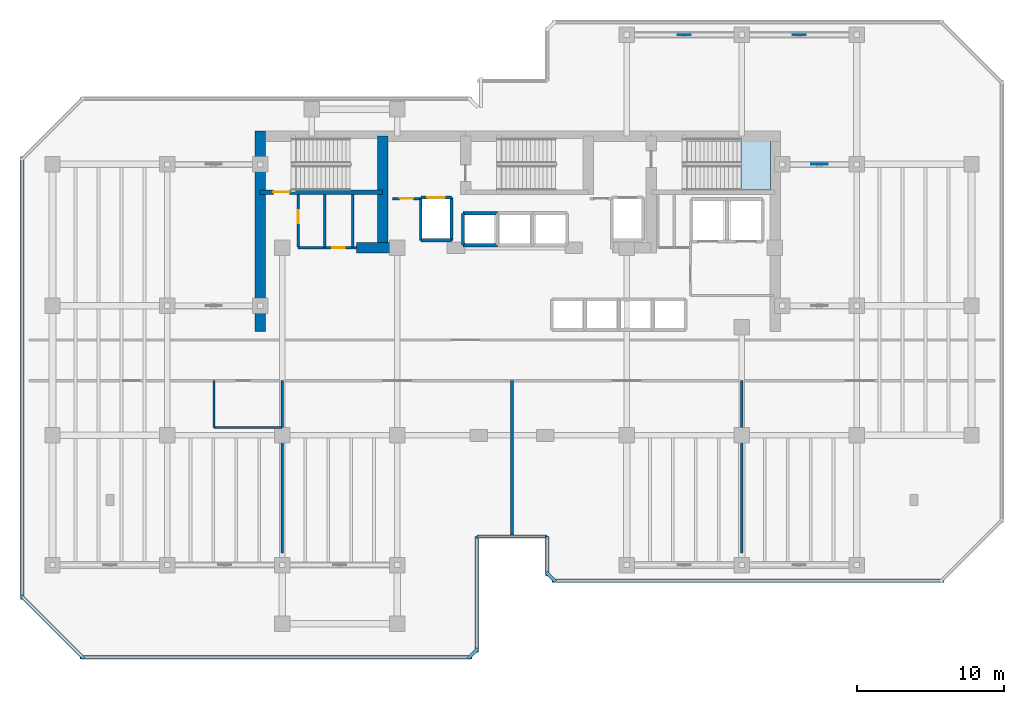
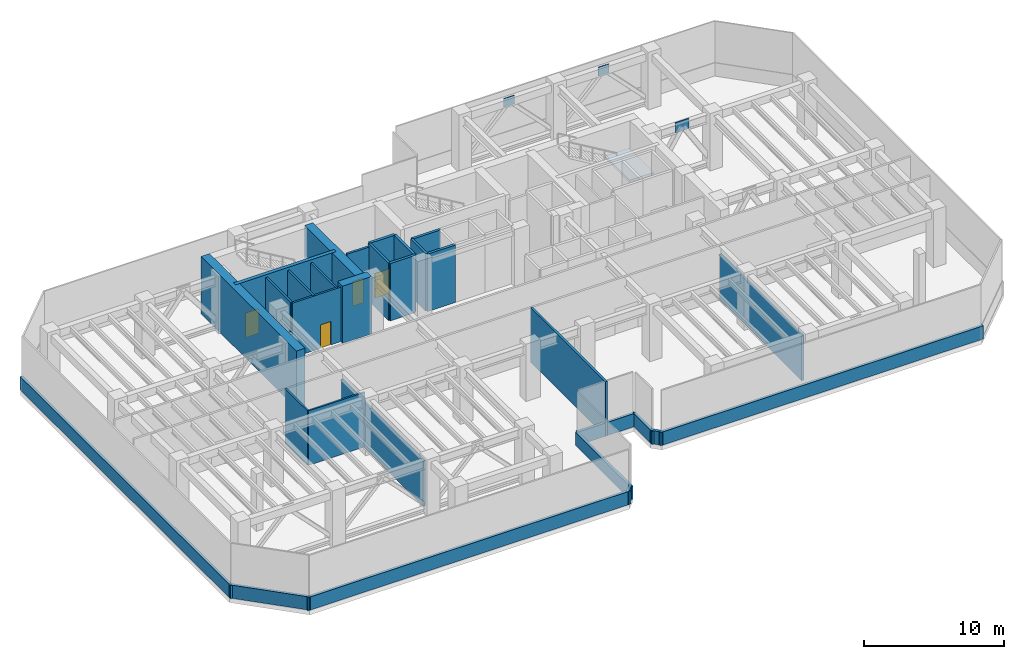
# One storey, part 4 of 10: 30 walls, 5 doors, 3 plates, 1 slab, 5 openings, 1 element without a shape of its own.
"""IFC4 building model written with IfcOpenShell, lengths in metres."""

from ifc_helpers import new_model, si_unit, direction, frame, frame_2d, origin, origin_2d, place, context, subcontext, project, spatial, polyline, rectangle, outline, extrude, material, layer, layer_set, type_object, element, fill, aggregate, save


model = new_model("IFC4")

# Units and contexts
model_context = context("Model", 3, precision=1e-05, world=origin(), true_north=direction((0.0, 1.0)))
body_context = subcontext(model_context, "Body", "Model", "MODEL_VIEW")
ifc_project = project(units=[si_unit("LENGTHUNIT", "METRE"), si_unit("AREAUNIT", "SQUARE_METRE"), si_unit("VOLUMEUNIT", "CUBIC_METRE"), si_unit("PLANEANGLEUNIT", "RADIAN"), si_unit("MASSUNIT", "GRAM", prefix="KILO")], contexts=[model_context])

# Site, building, storey
site_placement = place(None, origin())
site = spatial("IfcSite", under=ifc_project, at=site_placement, CompositionType="ELEMENT")
building_placement = place(site_placement, origin())
building = spatial("IfcBuilding", under=site, at=building_placement, Name="Kestravale Grand Hotel", CompositionType="ELEMENT")
storey_placement = place(building_placement, frame((0.0, 0.0, 184.0)))
storey = spatial("IfcBuildingStorey", under=building, at=storey_placement, Name="L46", CompositionType="ELEMENT", Elevation=184.0)

# Plates
ifc_material_1 = material(Name="Steel ASTM A572 Grade 50", Category="steel")
ifc_layer_1 = layer(ifc_material_1, 0.044921875)
ifc_layer_set_1 = layer_set([ifc_layer_1], Name="PL-GUS-45")
plate_type_1 = type_object("IfcPlateType", Name="PL-GUS-45", PredefinedType="USERDEFINED", material=ifc_layer_set_1)
for number, where, z_axis, x_axis, name in (
    (1, (50.699951171875, 47.199951171875, 3.985107421875), (0.0, 0.0, 1.0), (1.0, 0.0, 0.0), "L46 belt truss gusset G:8-9"),
    (2, (58.5, 47.199951171875, 3.985107421875), (0.0, 0.0, 1.0), (1.0, 0.0, 0.0), "L46 belt truss gusset G:9-10"),
):
    element("IfcPlate", number, at=place(storey_placement, frame(where, z_axis=z_axis, x_axis=x_axis)), inside=storey, type_object=plate_type_1, Name=name, ObjectType="GUSSET PLATE", PredefinedType="USERDEFINED", context=body_context, shape_type="SweptSolid", body=[
        extrude(rectangle(XDim=0.89990234375, YDim=0.044921875, at=origin_2d()), origin(), (0.0, 0.0, 1.0), 0.75),
    ])
ifc_material_2 = material(Name="Steel ASTM A572 Grade 50", Category="steel")
ifc_layer_2 = layer(ifc_material_2, 0.06005859375)
ifc_layer_set_2 = layer_set([ifc_layer_2], Name="PL-GUS-60")
plate_type_2 = type_object("IfcPlateType", Name="PL-GUS-60", PredefinedType="USERDEFINED", material=ifc_layer_set_2)
plate_placement = place(storey_placement, frame((59.875, 38.39990234375, 3.91015625), z_axis=(0.0, 0.0, 1.0), x_axis=(1.0, 0.0, 0.0)))
element("IfcPlate", 3, at=plate_placement, inside=storey, type_object=plate_type_2, Name="L46 outrigger gusset plate E-F", ObjectType="GUSSET PLATE", PredefinedType="USERDEFINED", context=body_context, shape_type="SweptSolid", body=[
    extrude(rectangle(XDim=1.10009765625, YDim=0.06005859375, at=origin_2d()), origin(), (0.0, 0.0, 1.0), 0.89990234375),
])

# Stair, slab
ifc_material_3 = material(Name="Concrete f'c 45 MPa", Category="concrete")
stair_type = type_object("IfcStairType", Name="ST-CORE-500", PredefinedType="HALF_TURN_STAIR", material=ifc_material_3)
stair_placement = place(storey_placement, origin())
stair = element("IfcStair", 4, at=stair_placement, inside=storey, type_object=stair_type, Name="L46 ST-3", PredefinedType="HALF_TURN_STAIR")
ifc_material_4 = material(Name="Concrete f'c 45 MPa", Category="concrete")
ifc_layer_3 = layer(ifc_material_4, 0.199951171875)
ifc_layer_set_3 = layer_set([ifc_layer_3], Name="SLB-ST-LND200")
slab_type = type_object("IfcSlabType", Name="SLB-ST-LND200", PredefinedType="LANDING", material=ifc_layer_set_3)
slab_placement = place(storey_placement, frame((0.0, 0.0, 2.300048828125)))
slab = element("IfcSlab", 5, at=slab_placement, type_object=slab_type, Name="ST-3 landing 1", PredefinedType="LANDING", context=body_context, shape_type="SweptSolid", body=[
    extrude(outline(polyline([(54.550048828125, 36.64990234375), (56.550048828125, 36.64990234375), (56.550048828125, 40.159912109375), (54.550048828125, 40.159912109375), (54.550048828125, 36.64990234375)])), origin(), (0.0, 0.0, 1.0), 0.199951171875),
])
aggregate(stair, [slab])

# Walls
ifc_material_5 = material(Name="Concrete f'c 60 MPa", Category="concrete")
ifc_layer_4 = layer(ifc_material_5, 0.699951171875)
ifc_layer_set_4 = layer_set([ifc_layer_4], Name="EW-CORE-700")
wall_type_1 = type_object("IfcWallType", Name="EW-CORE-700", PredefinedType="SHEAR", material=ifc_layer_set_4)
wall_1_placement = place(storey_placement, frame((21.89990234375, 27.050048828125, 0.0), z_axis=(0.0, 0.0, 1.0), x_axis=(0.0, 1.0, 0.0)))
element("IfcWall", 6, at=wall_1_placement, inside=storey, type_object=wall_type_1, Name="L46 core shear wall W1", PredefinedType="SHEAR", context=body_context, shape_type="SweptSolid", body=[
    extrude(rectangle(XDim=13.619873046875, YDim=0.699951171875, at=frame_2d((6.81005859375, 0.0))), origin(), (0.0, 0.0, 1.0), 5.0),
])
wall_2_placement = place(storey_placement, frame((28.449951171875, 32.75, 0.0), z_axis=(0.0, 0.0, 1.0), x_axis=(1.0, 0.0, 0.0)))
element("IfcWall", 7, at=wall_2_placement, inside=storey, type_object=wall_type_1, Name="L46 core shear wall S1", PredefinedType="SHEAR", context=body_context, shape_type="SweptSolid", body=[
    extrude(rectangle(XDim=2.400146484375, YDim=0.699951171875, at=frame_2d((1.2001953125, 0.0))), origin(), (0.0, 0.0, 1.0), 5.0),
])
wall_3_placement = place(storey_placement, frame((30.219970703125, 33.10009765625, 0.0), z_axis=(0.0, 0.0, 1.0), x_axis=(0.0, 1.0, 0.0)))
element("IfcWall", 8, at=wall_3_placement, inside=storey, type_object=wall_type_1, Name="L46 core shear wall X1", PredefinedType="SHEAR", context=body_context, shape_type="SweptSolid", body=[
    extrude(rectangle(XDim=7.219970703125, YDim=0.699951171875, at=frame_2d((3.60986328125, 0.0))), origin(), (0.0, 0.0, 1.0), 5.0),
])
ifc_material_6 = material(Name="Precast concrete f'c 45 MPa", Category="concrete")
ifc_layer_5 = layer(ifc_material_6, 0.219970703125)
ifc_layer_set_5 = layer_set([ifc_layer_5], Name="EW-PAR-220")
wall_type_2 = type_object("IfcWallType", Name="EW-PAR-220", PredefinedType="PARAPET", material=ifc_layer_set_5)
wall_4_placement = place(storey_placement, frame((9.659912109375, 4.93994140625, 0.0), z_axis=(0.0, 0.0, 1.0), x_axis=(1.0, 0.0, 0.0)))
element("IfcWall", 9, at=wall_4_placement, inside=storey, type_object=wall_type_2, Name="L46 refuge band parapet wall 1", PredefinedType="PARAPET", context=body_context, shape_type="SweptSolid", body=[
    extrude(rectangle(XDim=26.630126953125, YDim=0.219970703125, at=frame_2d((13.31494140625, 0.0))), origin(), (0.0, 0.0, 1.0), 1.14990234375),
])
wall_5_placement = place(storey_placement, frame((36.022705078125, 4.87060546875, 0.0), z_axis=(0.0, 0.0, 1.0), x_axis=(0.706975312048, 0.707238225886, 0.0)))
element("IfcWall", 10, at=wall_5_placement, inside=storey, type_object=wall_type_2, Name="L46 refuge band parapet wall 2", PredefinedType="PARAPET", context=body_context, shape_type="SweptSolid", body=[
    extrude(rectangle(XDim=0.9287109375, YDim=0.219970703125, at=frame_2d((0.46435546875, 0.0))), origin(), (0.0, 0.0, 1.0), 1.14990234375),
])
wall_6_placement = place(storey_placement, frame((36.610107421875, 5.260009765625, 0.0), z_axis=(0.0, 0.0, 1.0), x_axis=(0.0, 1.0, 0.0)))
element("IfcWall", 11, at=wall_6_placement, inside=storey, type_object=wall_type_2, Name="L46 refuge band parapet wall 3", PredefinedType="PARAPET", context=body_context, shape_type="SweptSolid", body=[
    extrude(rectangle(XDim=7.8798828125, YDim=0.219970703125, at=frame_2d((3.93994140625, 0.0))), origin(), (0.0, 0.0, 1.0), 1.14990234375),
])
wall_7_placement = place(storey_placement, frame((36.610107421875, 13.139892578125, 0.0), z_axis=(0.0, 0.0, 1.0), x_axis=(1.0, 0.0, 0.0)))
element("IfcWall", 12, at=wall_7_placement, inside=storey, type_object=wall_type_2, Name="L46 refuge band parapet wall 4", PredefinedType="PARAPET", context=body_context, shape_type="SweptSolid", body=[
    extrude(rectangle(XDim=4.77978515625, YDim=0.219970703125, at=frame_2d((2.389892578125, 0.0))), origin(), (0.0, 0.0, 1.0), 1.14990234375),
])
wall_8_placement = place(storey_placement, frame((41.389892578125, 13.139892578125, 0.0), z_axis=(0.0, 0.0, 1.0), x_axis=(0.0, -1.0, 0.0)))
element("IfcWall", 13, at=wall_8_placement, inside=storey, type_object=wall_type_2, Name="L46 refuge band parapet wall 5", PredefinedType="PARAPET", context=body_context, shape_type="SweptSolid", body=[
    extrude(rectangle(XDim=2.679931640625, YDim=0.219970703125, at=frame_2d((1.33984375, 0.0))), origin(), (0.0, 0.0, 1.0), 1.14990234375),
])
wall_9_placement = place(storey_placement, frame((41.32080078125, 10.727294921875, 0.0), z_axis=(0.0, 0.0, 1.0), x_axis=(0.707106781187, -0.707106781187, 0.0)))
element("IfcWall", 14, at=wall_9_placement, inside=storey, type_object=wall_type_2, Name="L46 refuge band parapet wall 6", PredefinedType="PARAPET", context=body_context, shape_type="SweptSolid", body=[
    extrude(rectangle(XDim=0.928466796875, YDim=0.219970703125, at=frame_2d((0.46435546875, 0.0))), origin(), (0.0, 0.0, 1.0), 1.14990234375),
])
wall_10_placement = place(storey_placement, frame((41.7099609375, 10.139892578125, 0.0), z_axis=(0.0, 0.0, 1.0), x_axis=(1.0, 0.0, 0.0)))
element("IfcWall", 15, at=wall_10_placement, inside=storey, type_object=wall_type_2, Name="L46 refuge band parapet wall 7", PredefinedType="PARAPET", context=body_context, shape_type="SweptSolid", body=[
    extrude(rectangle(XDim=26.630126953125, YDim=0.219970703125, at=frame_2d((13.31494140625, 0.0))), origin(), (0.0, 0.0, 1.0), 1.14990234375),
])
wall_11_placement = place(storey_placement, frame((5.739990234375, 38.93994140625, 0.0), z_axis=(0.0, 0.0, 1.0), x_axis=(0.0, -1.0, 0.0)))
element("IfcWall", 16, at=wall_11_placement, inside=storey, type_object=wall_type_2, Name="L46 refuge band parapet wall 19", PredefinedType="PARAPET", context=body_context, shape_type="SweptSolid", body=[
    extrude(rectangle(XDim=30.079833984375, YDim=0.219970703125, at=frame_2d((15.0400390625, 0.0))), origin(), (0.0, 0.0, 1.0), 1.14990234375),
])
wall_12_placement = place(storey_placement, frame((5.670654296875, 9.127197265625, 0.0), z_axis=(0.0, 0.0, 1.0), x_axis=(0.707106781187, -0.707106781187, 0.0)))
element("IfcWall", 17, at=wall_12_placement, inside=storey, type_object=wall_type_2, Name="L46 refuge band parapet wall 20", PredefinedType="PARAPET", context=body_context, shape_type="SweptSolid", body=[
    extrude(rectangle(XDim=6.019775390625, YDim=0.219970703125, at=frame_2d((3.009765625, 0.0))), origin(), (0.0, 0.0, 1.0), 1.14990234375),
])

# Wall, opening, door
ifc_material_7 = material(Name="Concrete f'c 45 MPa", Category="concrete")
ifc_layer_6 = layer(ifc_material_7, 0.300048828125)
ifc_layer_set_6 = layer_set([ifc_layer_6], Name="EW-STAIR-300")
wall_type_3 = type_object("IfcWallType", Name="EW-STAIR-300", PredefinedType="SHEAR", material=ifc_layer_set_6)
wall_13_placement = place(storey_placement, frame((21.89990234375, 36.52001953125, 0.0), z_axis=(0.0, 0.0, 1.0), x_axis=(1.0, 0.0, 0.0)))
wall_13 = element("IfcWall", 18, at=wall_13_placement, inside=storey, type_object=wall_type_3, Name="L46 stair enclosure shear wall SST1", PredefinedType="SHEAR", context=body_context, shape_type="SweptSolid", body=[
    extrude(rectangle(XDim=8.320068359375, YDim=0.300048828125, at=frame_2d((4.16015625, 0.0))), origin(), (0.0, 0.0, 1.0), 5.0),
])
opening_1_placement = place(wall_13_placement, frame((0.89990234375, 0.0, 0.0)))
opening_1 = element("IfcOpeningElement", 19, at=opening_1_placement, cuts=wall_13, Name="Opening D-ST-1100", PredefinedType="OPENING", context=body_context, shape_type="SweptSolid", body=[
    extrude(rectangle(XDim=1.10009765625, YDim=2.14990234375, at=frame_2d((0.550048828125, 1.074951171875))), frame((0.0, 0.159912109375, 0.0), z_axis=(0.0, -1.0, 0.0), x_axis=(1.0, 0.0, 0.0)), (0.0, 0.0, 1.0), 0.320068359375),
])
ifc_material_8 = material(Name="Galvanised 90-minute fire-rated steel stair door", Category="steel")
door_type_1 = type_object("IfcDoorType", Name="D-ST-1100", OperationType="NOTDEFINED", PredefinedType="DOOR", material=ifc_material_8)
door_1_placement = place(opening_1_placement, origin())
door_1 = element("IfcDoor", 20, at=door_1_placement, inside=storey, type_object=door_type_1, Name="L46 Stair ST-1 fire door", OperationType="SINGLE_SWING_RIGHT", OverallHeight=2.14990234375, OverallWidth=1.10009765625, PredefinedType="DOOR", context=body_context, shape_type="SweptSolid", body=[
    extrude(rectangle(XDim=1.10009765625, YDim=2.14990234375, at=frame_2d((0.550048828125, 1.074951171875))), frame((0.0, 0.02490234375, 0.0), z_axis=(0.0, -1.0, 0.0), x_axis=(1.0, 0.0, 0.0)), (0.0, 0.0, 1.0), 0.050048828125),
])
fill(opening_1, door_1)

ifc_material_9 = material(Name="Acoustic fire-rated gypsum board partition", Category="other")
ifc_layer_7 = layer(ifc_material_9, 0.159912109375)
ifc_layer_set_7 = layer_set([ifc_layer_7], Name="IW-CORR-160")
wall_type_4 = type_object("IfcWallType", Name="IW-CORR-160", PredefinedType="PARTITIONING", material=ifc_layer_set_7)
wall_14_placement = place(storey_placement, frame((24.47998046875, 32.800048828125, 0.0), z_axis=(0.0, 0.0, 1.0), x_axis=(0.0, 1.0, 0.0)))
wall_14 = element("IfcWall", 21, at=wall_14_placement, inside=storey, type_object=wall_type_4, Name="L46 west core vestibule wall", PredefinedType="PARTITIONING", context=body_context, shape_type="SweptSolid", body=[
    extrude(rectangle(XDim=3.570068359375, YDim=0.159912109375, at=frame_2d((1.78515625, 0.0))), origin(), (0.0, 0.0, 1.0), 4.75),
])
opening_2_placement = place(wall_14_placement, frame((1.603515625, 0.0, 0.0)))
opening_2 = element("IfcOpeningElement", 22, at=opening_2_placement, cuts=wall_14, Name="Opening D-SH-900", PredefinedType="OPENING", context=body_context, shape_type="SweptSolid", body=[
    extrude(rectangle(XDim=0.89990234375, YDim=2.10009765625, at=frame_2d((0.449951171875, 1.050048828125))), frame((0.0, 0.08984375, 0.0), z_axis=(0.0, -1.0, 0.0), x_axis=(1.0, 0.0, 0.0)), (0.0, 0.0, 1.0), 0.179931640625),
])
ifc_material_10 = material(Name="Galvanised 90-minute shaft and service fire door", Category="steel")
door_type_2 = type_object("IfcDoorType", Name="D-SH-900", OperationType="NOTDEFINED", PredefinedType="DOOR", material=ifc_material_10)
door_2_placement = place(opening_2_placement, origin())
door_2 = element("IfcDoor", 23, at=door_2_placement, inside=storey, type_object=door_type_2, Name="D-L46-HK", OperationType="SINGLE_SWING_RIGHT", OverallHeight=2.10009765625, OverallWidth=0.89990234375, PredefinedType="DOOR", context=body_context, shape_type="SweptSolid", body=[
    extrude(rectangle(XDim=0.89990234375, YDim=2.10009765625, at=frame_2d((0.449951171875, 1.050048828125))), frame((0.0, 0.02490234375, 0.0), z_axis=(0.0, -1.0, 0.0), x_axis=(1.0, 0.0, 0.0)), (0.0, 0.0, 1.0), 0.050048828125),
])
fill(opening_2, door_2)

wall_15_placement = place(storey_placement, frame((24.47998046875, 32.75, 0.0), z_axis=(0.0, 0.0, 1.0), x_axis=(1.0, 0.0, 0.0)))
wall_15 = element("IfcWall", 24, at=wall_15_placement, inside=storey, type_object=wall_type_4, Name="W-L46-CWS", PredefinedType="PARTITIONING", context=body_context, shape_type="SweptSolid", body=[
    extrude(rectangle(XDim=3.969970703125, YDim=0.159912109375, at=frame_2d((1.98486328125, 0.0))), origin(), (0.0, 0.0, 1.0), 4.75),
])
opening_3_placement = place(wall_15_placement, frame((2.31005859375, 0.0, 0.0)))
opening_3 = element("IfcOpeningElement", 25, at=opening_3_placement, cuts=wall_15, Name="Opening D-SH-860", PredefinedType="OPENING", context=body_context, shape_type="SweptSolid", body=[
    extrude(rectangle(XDim=0.860107421875, YDim=2.050048828125, at=frame_2d((0.43017578125, 1.02490234375))), frame((0.0, 0.08984375, 0.0), z_axis=(0.0, -1.0, 0.0), x_axis=(1.0, 0.0, 0.0)), (0.0, 0.0, 1.0), 0.179931640625),
])
ifc_material_11 = material(Name="Galvanised 90-minute riser fire door", Category="steel")
door_type_3 = type_object("IfcDoorType", Name="D-SH-860", OperationType="NOTDEFINED", PredefinedType="DOOR", material=ifc_material_11)
door_3_placement = place(opening_3_placement, origin())
door_3 = element("IfcDoor", 26, at=door_3_placement, inside=storey, type_object=door_type_3, Name="D-L46-IDF", OperationType="SINGLE_SWING_RIGHT", OverallHeight=2.050048828125, OverallWidth=0.860107421875, PredefinedType="DOOR", context=body_context, shape_type="SweptSolid", body=[
    extrude(rectangle(XDim=0.860107421875, YDim=2.050048828125, at=frame_2d((0.43017578125, 1.02490234375))), frame((0.0, 0.02490234375, 0.0), z_axis=(0.0, -1.0, 0.0), x_axis=(1.0, 0.0, 0.0)), (0.0, 0.0, 1.0), 0.050048828125),
])
fill(opening_3, door_3)

ifc_material_12 = material(Name="Fire-rated gypsum board on steel studs with mineral wool", Category="steel")
ifc_layer_8 = layer(ifc_material_12, 0.179931640625)
ifc_layer_set_8 = layer_set([ifc_layer_8], Name="IW-FSAE-180")
wall_type_5 = type_object("IfcWallType", Name="IW-FSAE-180", PredefinedType="PARTITIONING", material=ifc_layer_set_8)
wall_16_placement = place(storey_placement, frame((30.89990234375, 36.080078125, 0.0), z_axis=(0.0, 0.0, 1.0), x_axis=(1.0, 0.0, 0.0)))
wall_16 = element("IfcWall", 27, at=wall_16_placement, inside=storey, type_object=wall_type_5, Name="L46 FSAE Lobby 1 smoke barrier", PredefinedType="PARTITIONING", context=body_context, shape_type="SweptSolid", body=[
    extrude(rectangle(XDim=1.85009765625, YDim=0.179931640625, at=frame_2d((0.925048828125, 0.0))), origin(), (0.0, 0.0, 1.0), 4.75),
])
opening_4_placement = place(wall_16_placement, frame((0.47998046875, 0.0, 0.0)))
opening_4 = element("IfcOpeningElement", 28, at=opening_4_placement, cuts=wall_16, Name="Opening D-FSAE-1000", PredefinedType="OPENING", context=body_context, shape_type="SweptSolid", body=[
    extrude(rectangle(XDim=0.89990234375, YDim=2.14990234375, at=frame_2d((0.449951171875, 1.074951171875))), frame((0.0, 0.099853515625, 0.0), z_axis=(0.0, -1.0, 0.0), x_axis=(1.0, 0.0, 0.0)), (0.0, 0.0, 1.0), 0.199951171875),
])
ifc_material_13 = material(Name="Smoke-gasketed FSAE lobby fire door", Category="steel")
door_type_4 = type_object("IfcDoorType", Name="D-FSAE-1000", OperationType="NOTDEFINED", PredefinedType="DOOR", material=ifc_material_13)
door_4_placement = place(opening_4_placement, origin())
door_4 = element("IfcDoor", 29, at=door_4_placement, inside=storey, type_object=door_type_4, Name="L46 FSAE Lobby 1 fire door", OperationType="SINGLE_SWING_RIGHT", OverallHeight=2.14990234375, OverallWidth=0.89990234375, PredefinedType="DOOR", context=body_context, shape_type="SweptSolid", body=[
    extrude(rectangle(XDim=0.89990234375, YDim=2.14990234375, at=frame_2d((0.449951171875, 1.074951171875))), frame((0.0, 0.02490234375, 0.0), z_axis=(0.0, -1.0, 0.0), x_axis=(1.0, 0.0, 0.0)), (0.0, 0.0, 1.0), 0.050048828125),
])
fill(opening_4, door_4)

# Walls
wall_17_placement = place(storey_placement, frame((23.39990234375, 12.0, 0.0), z_axis=(0.0, 0.0, 1.0), x_axis=(0.0, 1.0, 0.0)))
element("IfcWall", 30, at=wall_17_placement, inside=storey, type_object=wall_type_5, Name="W-L46-SP-1", PredefinedType="PARTITIONING", context=body_context, shape_type="SweptSolid", body=[
    extrude(rectangle(XDim=11.719970703125, YDim=0.179931640625, at=frame_2d((5.85986328125, 0.0))), origin(), (0.0, 0.0, 1.0), 3.93798828125),
])
wall_18_placement = place(storey_placement, frame((39.0, 13.02001953125, 0.0), z_axis=(0.0, 0.0, 1.0), x_axis=(0.0, 1.0, 0.0)))
element("IfcWall", 31, at=wall_18_placement, inside=storey, type_object=wall_type_5, Name="W-L46-SP-2", PredefinedType="PARTITIONING", context=body_context, shape_type="SweptSolid", body=[
    extrude(rectangle(XDim=10.699951171875, YDim=0.179931640625, at=frame_2d((5.35009765625, 0.0))), origin(), (0.0, 0.0, 1.0), 4.75),
])
wall_19_placement = place(storey_placement, frame((54.60009765625, 12.0, 0.0), z_axis=(0.0, 0.0, 1.0), x_axis=(0.0, 1.0, 0.0)))
element("IfcWall", 32, at=wall_19_placement, inside=storey, type_object=wall_type_5, Name="W-L46-SP-3", PredefinedType="PARTITIONING", context=body_context, shape_type="SweptSolid", body=[
    extrude(rectangle(XDim=11.719970703125, YDim=0.179931640625, at=frame_2d((5.85986328125, 0.0))), origin(), (0.0, 0.0, 1.0), 3.93798828125),
])
ifc_material_14 = material(Name="Moisture-resistant tile-backer plumbing chase wall", Category="other")
ifc_layer_9 = layer(ifc_material_14, 0.139892578125)
ifc_layer_set_9 = layer_set([ifc_layer_9], Name="IW-PLB-140")
wall_type_6 = type_object("IfcWallType", Name="IW-PLB-140", PredefinedType="PLUMBINGWALL", material=ifc_layer_set_9)
wall_20_placement = place(storey_placement, frame((18.760009765625, 20.550048828125, 0.0), z_axis=(0.0, 0.0, 1.0), x_axis=(0.0, 1.0, 0.0)))
element("IfcWall", 33, at=wall_20_placement, inside=storey, type_object=wall_type_6, Name="W-L46-RWC-W", PredefinedType="PLUMBINGWALL", context=body_context, shape_type="SweptSolid", body=[
    extrude(rectangle(XDim=3.169921875, YDim=0.139892578125, at=frame_2d((1.5849609375, 0.0))), origin(), (0.0, 0.0, 1.0), 4.75),
])
wall_21_placement = place(storey_placement, frame((18.760009765625, 20.550048828125, 0.0), z_axis=(0.0, 0.0, 1.0), x_axis=(1.0, 0.0, 0.0)))
element("IfcWall", 34, at=wall_21_placement, inside=storey, type_object=wall_type_6, Name="W-L46-RWC-S", PredefinedType="PLUMBINGWALL", context=body_context, shape_type="SweptSolid", body=[
    extrude(rectangle(XDim=4.639892578125, YDim=0.139892578125, at=frame_2d((2.31982421875, 0.0))), origin(), (0.0, 0.0, 1.0), 4.75),
])
ifc_material_15 = material(Name="Concrete f'c 45 MPa", Category="concrete")
ifc_layer_10 = layer(ifc_material_15, 0.199951171875)
ifc_layer_set_10 = layer_set([ifc_layer_10], Name="IW-SHAFT-200")
wall_type_7 = type_object("IfcWallType", Name="IW-SHAFT-200", PredefinedType="SHEAR", material=ifc_layer_set_10)
wall_22_placement = place(storey_placement, frame((35.679931640625, 32.919921875, 0.0), z_axis=(0.0, 0.0, 1.0), x_axis=(0.0, 1.0, 0.0)))
element("IfcWall", 35, at=wall_22_placement, inside=storey, type_object=wall_type_7, Name="L46 PL-X1 west shaft wall", PredefinedType="SHEAR", context=body_context, shape_type="SweptSolid", body=[
    extrude(rectangle(XDim=2.16015625, YDim=0.199951171875, at=frame_2d((1.080078125, 0.0))), origin(), (0.0, 0.0, 1.0), 5.0),
])
for number, where, z_axis, x_axis, name in (
    (36, (32.804931640625, 33.2451171875, 0.0), (0.0, 0.0, 1.0), (0.0, 1.0, 0.0), "L46 FL-1 west shaft wall"),
    (37, (34.89501953125, 33.2451171875, 0.0), (0.0, 0.0, 1.0), (0.0, 1.0, 0.0), "L46 FL-1 east shaft wall"),
):
    element("IfcWall", number, at=place(storey_placement, frame(where, z_axis=z_axis, x_axis=x_axis)), inside=storey, type_object=wall_type_7, Name=name, PredefinedType="SHEAR", context=body_context, shape_type="SweptSolid", body=[
        extrude(rectangle(XDim=2.909912109375, YDim=0.199951171875, at=frame_2d((1.455078125, 0.0))), origin(), (0.0, 0.0, 1.0), 5.0),
    ])
ifc_material_16 = material(Name="Concrete f'c 45 MPa", Category="concrete")
ifc_layer_11 = layer(ifc_material_16, 0.219970703125)
ifc_layer_set_11 = layer_set([ifc_layer_11], Name="IW-SHAFT-220")
wall_type_8 = type_object("IfcWallType", Name="IW-SHAFT-220", PredefinedType="SHEAR", material=ifc_layer_set_11)
for number, where, z_axis, x_axis, name in (
    (38, (35.679931640625, 35.080078125, 0.0), (0.0, 0.0, 1.0), (1.0, 0.0, 0.0), "L46 PL-X1 north shaft wall"),
    (39, (35.679931640625, 32.919921875, 0.0), (0.0, 0.0, 1.0), (1.0, 0.0, 0.0), "L46 PL-X1 south shaft wall"),
):
    element("IfcWall", number, at=place(storey_placement, frame(where, z_axis=z_axis, x_axis=x_axis)), inside=storey, type_object=wall_type_8, Name=name, PredefinedType="SHEAR", context=body_context, shape_type="SweptSolid", body=[
        extrude(rectangle(XDim=2.320068359375, YDim=0.219970703125, at=frame_2d((1.16015625, 0.0))), origin(), (0.0, 0.0, 1.0), 5.0),
    ])

# Wall, opening, door
wall_23_placement = place(storey_placement, frame((32.804931640625, 36.155029296875, 0.0), z_axis=(0.0, 0.0, 1.0), x_axis=(1.0, 0.0, 0.0)))
wall_23 = element("IfcWall", 40, at=wall_23_placement, inside=storey, type_object=wall_type_8, Name="L46 FL-1 north shaft wall", PredefinedType="SHEAR", context=body_context, shape_type="SweptSolid", body=[
    extrude(rectangle(XDim=2.090087890625, YDim=0.219970703125, at=frame_2d((1.044921875, 0.0))), origin(), (0.0, 0.0, 1.0), 5.0),
])
opening_5_placement = place(wall_23_placement, frame((0.445068359375, 0.0, 0.0)))
opening_5 = element("IfcOpeningElement", 41, at=opening_5_placement, cuts=wall_23, Name="Opening LD-FSAE-1200", PredefinedType="OPENING", context=body_context, shape_type="SweptSolid", body=[
    extrude(rectangle(XDim=1.199951171875, YDim=2.14990234375, at=frame_2d((0.60009765625, 1.074951171875))), frame((0.0, 0.119873046875, 0.0), z_axis=(0.0, -1.0, 0.0), x_axis=(1.0, 0.0, 0.0)), (0.0, 0.0, 1.0), 0.239990234375),
])
ifc_material_17 = material(Name="Stainless fire-service sliding elevator landing door", Category="steel")
door_type_5 = type_object("IfcDoorType", Name="LD-FSAE-1200", OperationType="NOTDEFINED", PredefinedType="DOOR", material=ifc_material_17)
door_5_placement = place(opening_5_placement, origin())
door_5 = element("IfcDoor", 42, at=door_5_placement, inside=storey, type_object=door_type_5, Name="L46 FL-1 elevator landing sliding door", OperationType="DOUBLE_DOOR_SLIDING", OverallHeight=2.14990234375, OverallWidth=1.199951171875, PredefinedType="DOOR", context=body_context, shape_type="SweptSolid", body=[
    extrude(rectangle(XDim=1.199951171875, YDim=2.14990234375, at=frame_2d((0.60009765625, 1.074951171875))), frame((0.0, 0.02490234375, 0.0), z_axis=(0.0, -1.0, 0.0), x_axis=(1.0, 0.0, 0.0)), (0.0, 0.0, 1.0), 0.050048828125),
])
fill(opening_5, door_5)

# Walls
wall_24_placement = place(storey_placement, frame((32.804931640625, 33.2451171875, 0.0), z_axis=(0.0, 0.0, 1.0), x_axis=(1.0, 0.0, 0.0)))
element("IfcWall", 43, at=wall_24_placement, inside=storey, type_object=wall_type_8, Name="L46 FL-1 south shaft wall", PredefinedType="SHEAR", context=body_context, shape_type="SweptSolid", body=[
    extrude(rectangle(XDim=2.090087890625, YDim=0.219970703125, at=frame_2d((1.044921875, 0.0))), origin(), (0.0, 0.0, 1.0), 5.0),
])
ifc_material_18 = material(Name="Double-stud STC 52 acoustic demising partition", Category="other")
ifc_layer_12 = layer(ifc_material_18, 0.14990234375)
ifc_layer_set_12 = layer_set([ifc_layer_12], Name="IW-UNIT-150")
wall_type_9 = type_object("IfcWallType", Name="IW-UNIT-150", PredefinedType="PARTITIONING", material=ifc_layer_set_12)
for number, where, z_axis, x_axis, name in (
    (44, (26.280029296875, 32.75, 0.0), (0.0, 0.0, 1.0), (0.0, 1.0, 0.0), "W-L46-CC1-1"),
    (45, (28.179931640625, 32.75, 0.0), (0.0, 0.0, 1.0), (0.0, 1.0, 0.0), "W-L46-CC1-2"),
):
    element("IfcWall", number, at=place(storey_placement, frame(where, z_axis=z_axis, x_axis=x_axis)), inside=storey, type_object=wall_type_9, Name=name, PredefinedType="PARTITIONING", context=body_context, shape_type="SweptSolid", body=[
        extrude(rectangle(XDim=3.6201171875, YDim=0.14990234375, at=frame_2d((1.81005859375, 0.0))), origin(), (0.0, 0.0, 1.0), 4.75),
    ])

save(model, "model.ifc")
